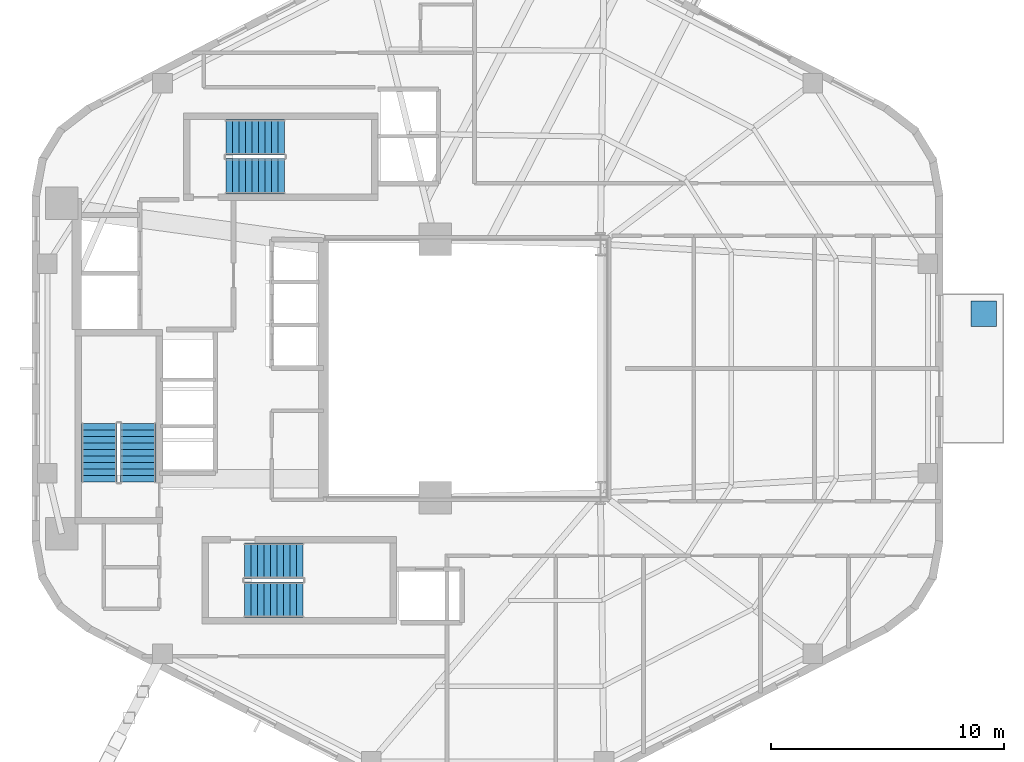
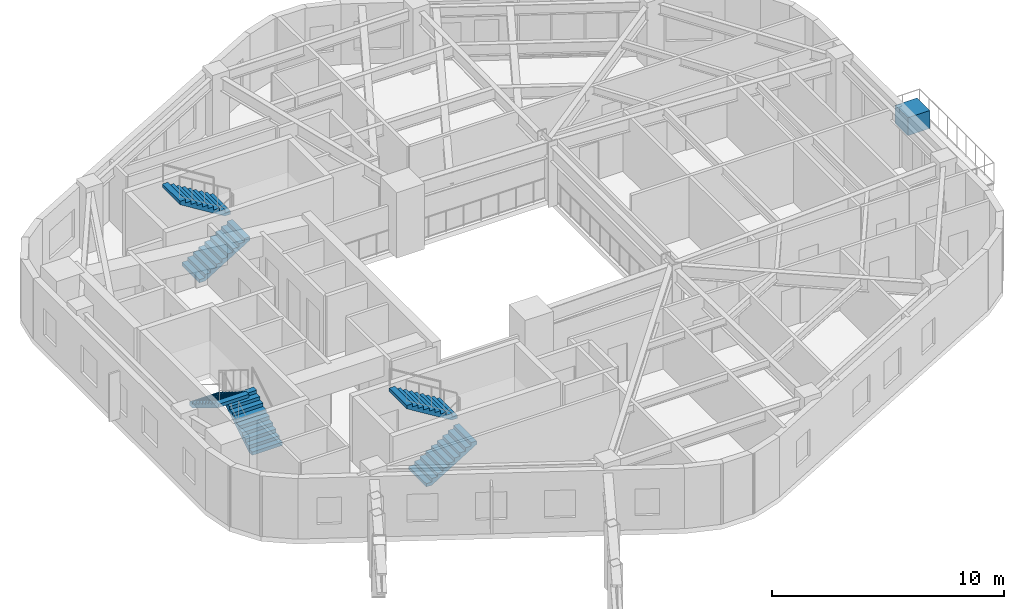
# One storey, part 9 of 11: 6 stair flights, 1 discrete accessory, 3 elements without a shape of their own.
"""IFC4 building model written with IfcOpenShell, lengths in metres."""

import ifcopenshell
import ifcopenshell.guid

model = None  # the IFC model being written
_history = None  # IfcOwnerHistory: only IFC2X3 demands one
_inside = {}  # id of a spatial element -> (the spatial element, [elements in it])
_under = {}  # id of a project, library or spatial element -> (it, [spatial elements below it])
_declared = {}  # id of a project -> (the project, [libraries it declares])
_typed = {}  # id of a type object -> (the type object, [elements of that type])
_made_of = {}  # id of a material, layer set ... -> (it, [elements and type objects made of it])


def new_model(schema):
    """Start an empty IFC model of exactly this schema.

    Asked for "IFC4X3", IfcOpenShell would pick the latest addendum, in which some entities
    have other attributes; the version numbers below select the first issue.
    IFC2X3 requires an IfcOwnerHistory on every rooted entity: one is made here for all.
    """
    global model, _history
    if schema == "IFC4X3":
        model = ifcopenshell.file(schema_version=(4, 3, 0, 0))
    else:
        model = ifcopenshell.file(schema=schema)
    _inside.clear()
    _under.clear()
    _declared.clear()
    _typed.clear()
    _made_of.clear()
    _history = None
    if model.schema == "IFC2X3":
        org = make("IfcOrganization", Name="unknown")
        user = make(
            "IfcPersonAndOrganization",
            ThePerson=make("IfcPerson", FamilyName="unknown"),
            TheOrganization=org,
        )
        app = make(
            "IfcApplication",
            ApplicationDeveloper=org,
            Version="unknown",
            ApplicationFullName="unknown",
            ApplicationIdentifier="unknown",
        )
        _history = make(
            "IfcOwnerHistory",
            OwningUser=user,
            OwningApplication=app,
            ChangeAction="ADDED",
            CreationDate=0,
        )
    return model


def make(cls, **values):
    """One entity of the class cls with the attributes given. An attribute that is None is left unset."""
    return model.create_entity(
        cls, **{name: value for name, value in values.items() if value is not None}
    )


def rooted(cls, **values):
    """An entity with a GlobalId (a new one), such as an element, a storey or a relation."""
    return make(cls, GlobalId=ifcopenshell.guid.new(), OwnerHistory=_history, **values)


def si_unit(unit_type, name, prefix=None):
    """IfcSIUnit, for example si_unit("LENGTHUNIT", "METRE", prefix="MILLI")."""
    return make("IfcSIUnit", UnitType=unit_type, Prefix=prefix, Name=name)


def assignment(units):
    """IfcUnitAssignment: the units of a project."""
    return None if units is None else make("IfcUnitAssignment", Units=units)


def point(xyz):
    """IfcCartesianPoint."""
    return None if xyz is None else make("IfcCartesianPoint", Coordinates=xyz)


def direction(xyz):
    """IfcDirection."""
    return None if xyz is None else make("IfcDirection", DirectionRatios=xyz)


def frame(location, z_axis=None, x_axis=None):
    """IfcAxis2Placement3D, a coordinate frame: its origin and axes. An axis left out is left unset."""
    return make(
        "IfcAxis2Placement3D",
        Location=point(location),
        Axis=direction(z_axis),
        RefDirection=direction(x_axis),
    )


def frame_2d(location, x_axis=None):
    """IfcAxis2Placement2D, a coordinate frame in the plane: its origin and x axis."""
    return make(
        "IfcAxis2Placement2D", Location=point(location), RefDirection=direction(x_axis)
    )


def origin():
    """The frame at (0, 0, 0) with its axes left unset."""
    return frame((0.0, 0.0, 0.0))


def origin_2d():
    """The frame at (0, 0) in the plane with its x axis left unset."""
    return frame_2d((0.0, 0.0))


def place(relative_to, where):
    """IfcLocalPlacement: puts the frame where relative to a parent placement (None: the world)."""
    return make(
        "IfcLocalPlacement", PlacementRelTo=relative_to, RelativePlacement=where
    )


def context(
    kind, dimensions, precision=None, world=None, true_north=None, identifier=None
):
    """IfcGeometricRepresentationContext, for example the 3D "Model" context."""
    return make(
        "IfcGeometricRepresentationContext",
        ContextIdentifier=identifier,
        ContextType=kind,
        CoordinateSpaceDimension=dimensions,
        Precision=precision,
        WorldCoordinateSystem=world,
        TrueNorth=true_north,
    )


def subcontext(parent, identifier, kind, view, scale=None):
    """IfcGeometricRepresentationSubContext, for example "Body" below "Model"."""
    return make(
        "IfcGeometricRepresentationSubContext",
        ContextIdentifier=identifier,
        ContextType=kind,
        ParentContext=parent,
        TargetScale=scale,
        TargetView=view,
    )


def project(units=None, contexts=None):
    """IfcProject with its units and contexts."""
    return rooted(
        "IfcProject",
        Name="project",
        RepresentationContexts=contexts,
        UnitsInContext=assignment(units),
    )


def spatial(cls, under=None, at=None, **own):
    """A site, building, storey or space (cls), placed at a placement, below another one or the project."""
    s = rooted(cls, ObjectPlacement=at, **own)
    if under is not None:
        _under.setdefault(under.id(), (under, []))[1].append(s)
    return s


def polyline(points):
    """IfcPolyline through the points."""
    return make("IfcPolyline", Points=[point(p) for p in points])


def profile(cls, at=None, kind="AREA", **sizes):
    """A parametric profile (cls). Its sizes go by their IFC names, for example OverallWidth=200.0."""
    return make(cls, ProfileType=kind, Position=at, **sizes)


def rectangle(**sizes):
    """IfcRectangleProfileDef."""
    return profile("IfcRectangleProfileDef", **sizes)


def outline(outer, holes=None, kind="AREA"):
    """IfcArbitraryClosedProfileDef: a profile drawn as a closed curve; with holes, ...WithVoids."""
    if holes is None:
        return make("IfcArbitraryClosedProfileDef", ProfileType=kind, OuterCurve=outer)
    return make(
        "IfcArbitraryProfileDefWithVoids",
        ProfileType=kind,
        OuterCurve=outer,
        InnerCurves=holes,
    )


def extrude(swept, where, along, depth):
    """IfcExtrudedAreaSolid: the profile swept, set in the frame where, extruded along a direction by depth."""
    return make(
        "IfcExtrudedAreaSolid",
        SweptArea=swept,
        Position=where,
        ExtrudedDirection=direction(along),
        Depth=depth,
    )


def shape(context_of_items, identifier, shape_type, items):
    """IfcShapeRepresentation: the items that make up one representation, for example the "Body"."""
    return make(
        "IfcShapeRepresentation",
        ContextOfItems=context_of_items,
        RepresentationIdentifier=identifier,
        RepresentationType=shape_type,
        Items=items,
    )


def material(Name=None, Category=None):
    """IfcMaterial."""
    return make("IfcMaterial", Name=Name, Category=Category)


def made_of(thing, what):
    """Note that an element or type object is made of a material, layer set ...; save() writes the relation."""
    if what is not None:
        _made_of.setdefault(what.id(), (what, []))[1].append(thing)
    return thing


def type_object(cls, material=None, **own):
    """A type object (cls), such as IfcWallType, which elements share."""
    return made_of(rooted(cls, **own), material)


def element(
    cls,
    number,
    at=None,
    inside=None,
    cuts=None,
    type_object=None,
    material=None,
    context=None,
    identifier="Body",
    shape_type=None,
    held_by="IfcProductDefinitionShape",
    body=None,
    shapes=None,
    **own,
):
    """One element of the class cls, such as IfcWall. Its Tag is "e" and its number.

    at: its placement. inside: the storey or other place that contains it. cuts: it is an
    opening in that element (IfcRelVoidsElement). A single representation is given by context,
    identifier, shape_type and body (its items); several are given by shapes. held_by: the class
    of the entity that holds the representations. save() writes the other relations.
    """
    e = rooted(cls, Tag="e%d" % number, ObjectPlacement=at, **own)
    if body is not None:
        shapes = [shape(context, identifier, shape_type, body)]
    if shapes is not None:
        e.Representation = make(held_by, Representations=shapes)
    if inside is not None:
        _inside.setdefault(inside.id(), (inside, []))[1].append(e)
    if cuts is not None:
        rooted(
            "IfcRelVoidsElement", RelatingBuildingElement=cuts, RelatedOpeningElement=e
        )
    if type_object is not None:
        _typed.setdefault(type_object.id(), (type_object, []))[1].append(e)
    return made_of(e, material)


def aggregate(whole, parts):
    """IfcRelAggregates: a whole, such as a stair, and the parts it consists of."""
    return rooted("IfcRelAggregates", RelatingObject=whole, RelatedObjects=parts)


def save(model, path):
    """Write the relations noted so far, then the file.

    IfcRelAggregates (storeys below a building ...), IfcRelContainedInSpatialStructure (elements
    in a storey), IfcRelDefinesByType, IfcRelAssociatesMaterial and IfcRelDeclares: one each for
    every whole, place, type object, material and project.
    """
    for whole, parts in _under.values():
        aggregate(whole, parts)
    for where, things in _inside.values():
        rooted(
            "IfcRelContainedInSpatialStructure",
            RelatedElements=things,
            RelatingStructure=where,
        )
    for kind, things in _typed.values():
        rooted("IfcRelDefinesByType", RelatedObjects=things, RelatingType=kind)
    for what, things in _made_of.values():
        rooted("IfcRelAssociatesMaterial", RelatedObjects=things, RelatingMaterial=what)
    for by, libraries in _declared.values():
        rooted("IfcRelDeclares", RelatingContext=by, RelatedDefinitions=libraries)
    model.write(path)


model = new_model("IFC4")

# Units and contexts
model_context = context("Model", 3, precision=1e-05, world=origin(), true_north=direction((0.0, 1.0)))
body_context = subcontext(model_context, "Body", "Model", "MODEL_VIEW")
ifc_project = project(units=[si_unit("LENGTHUNIT", "METRE"), si_unit("AREAUNIT", "SQUARE_METRE"), si_unit("VOLUMEUNIT", "CUBIC_METRE"), si_unit("PLANEANGLEUNIT", "RADIAN"), si_unit("MASSUNIT", "GRAM", prefix="KILO"), si_unit("THERMODYNAMICTEMPERATUREUNIT", "KELVIN"), si_unit("POWERUNIT", "WATT")], contexts=[model_context])

# Site, building, storey
site_placement = place(None, origin())
site = spatial("IfcSite", under=ifc_project, at=site_placement, CompositionType="ELEMENT")
building_placement = place(site_placement, origin())
building = spatial("IfcBuilding", under=site, at=building_placement, Name="Skarre Station Tower", CompositionType="ELEMENT")
storey_placement = place(building_placement, frame((0.0, 0.0, 167.10009765625)))
storey = spatial("IfcBuildingStorey", under=building, at=storey_placement, Name="L45", CompositionType="ELEMENT", Elevation=167.10009765625)

# Stair, stair flights
ifc_material_1 = material(Name="Concrete C40/50", Category="concrete")
stair_type_1 = type_object("IfcStairType", Name="Reinforced Concrete Exit Stair ST-1", PredefinedType="HALF_TURN_STAIR", material=ifc_material_1)
stair_1_placement = place(storey_placement, origin())
stair_1 = element("IfcStair", 1, at=stair_1_placement, inside=storey, type_object=stair_type_1, Name="L45 Core Exit Stair ST-1", PredefinedType="HALF_TURN_STAIR")
stair_flight_type_1 = type_object("IfcStairFlightType", Name="Reinforced Concrete Stair Flight ST-1", PredefinedType="STRAIGHT", material=ifc_material_1)
stair_flight_1_placement = place(storey_placement, frame((19.590087890625, 19.1201171875, 0.0), z_axis=(0.0, 0.0, 1.0), x_axis=(0.0, 1.0, 0.0)))
stair_flight_1 = element("IfcStairFlight", 2, at=stair_flight_1_placement, type_object=stair_flight_type_1, Name="ST-1 flight 1", NumberOfRisers=10, NumberOfTreads=9, PredefinedType="STRAIGHT", RiserHeight=0.1725, TreadLength=0.28, context=body_context, shape_type="SweptSolid", body=[
    extrude(outline(polyline([(0.0, 0.0), (0.0, 0.172607421875), (0.280029296875, 0.172607421875), (0.280029296875, 0.344970703125), (0.56005859375, 0.344970703125), (0.56005859375, 0.517578125), (0.840087890625, 0.517578125), (0.840087890625, 0.68994140625), (1.1201171875, 0.68994140625), (1.1201171875, 0.862548828125), (1.39990234375, 0.862548828125), (1.39990234375, 1.034912109375), (1.679931640625, 1.034912109375), (1.679931640625, 1.20751953125), (1.9599609375, 1.20751953125), (1.9599609375, 1.3798828125), (2.239990234375, 1.3798828125), (2.239990234375, 1.552490234375), (2.52001953125, 1.552490234375), (2.52001953125, 1.72509765625), (2.52001953125, 1.37646484375), (0.285888671875, 0.0), (0.0, 0.0)])), frame((0.0, 0.760009765625, 0.0), z_axis=(0.0, -1.0, 0.0), x_axis=(1.0, 0.0, 0.0)), (0.0, 0.0, 1.0), 1.52001953125),
])
stair_flight_2_placement = place(storey_placement, frame((17.909912109375, 21.639892578125, 1.724853515625), z_axis=(0.0, 0.0, 1.0), x_axis=(0.0, -1.0, 0.0)))
stair_flight_2 = element("IfcStairFlight", 3, at=stair_flight_2_placement, type_object=stair_flight_type_1, Name="ST-1 flight 2", NumberOfRisers=10, NumberOfTreads=9, PredefinedType="STRAIGHT", RiserHeight=0.1725, TreadLength=0.28, context=body_context, shape_type="SweptSolid", body=[
    extrude(outline(polyline([(0.0, 0.0), (0.0, 0.172607421875), (0.280029296875, 0.172607421875), (0.280029296875, 0.344970703125), (0.56005859375, 0.344970703125), (0.56005859375, 0.517578125), (0.840087890625, 0.517578125), (0.840087890625, 0.68994140625), (1.1201171875, 0.68994140625), (1.1201171875, 0.862548828125), (1.39990234375, 0.862548828125), (1.39990234375, 1.034912109375), (1.679931640625, 1.034912109375), (1.679931640625, 1.20751953125), (1.9599609375, 1.20751953125), (1.9599609375, 1.3798828125), (2.239990234375, 1.3798828125), (2.239990234375, 1.552490234375), (2.52001953125, 1.552490234375), (2.52001953125, 1.72509765625), (2.52001953125, 1.37646484375), (0.285888671875, 0.0), (0.0, 0.0)])), frame((0.0, 0.760009765625, 0.0), z_axis=(0.0, -1.0, 0.0), x_axis=(1.0, 0.0, 0.0)), (0.0, 0.0, 1.0), 1.52001953125),
])
aggregate(stair_1, [stair_flight_1, stair_flight_2])

stair_type_2 = type_object("IfcStairType", Name="Reinforced Concrete Exit Stair ST-2", PredefinedType="HALF_TURN_STAIR", material=ifc_material_1)
stair_2_placement = place(storey_placement, origin())
stair_2 = element("IfcStair", 4, at=stair_2_placement, inside=storey, type_object=stair_type_2, Name="L45 Core Exit Stair ST-2", PredefinedType="HALF_TURN_STAIR")
stair_flight_type_2 = type_object("IfcStairFlightType", Name="Reinforced Concrete Stair Flight ST-2", PredefinedType="STRAIGHT", material=ifc_material_1)
stair_flight_3_placement = place(storey_placement, frame((24.14990234375, 14.06005859375, 0.0), z_axis=(0.0, 0.0, 1.0), x_axis=(1.0, 0.0, 0.0)))
stair_flight_3 = element("IfcStairFlight", 5, at=stair_flight_3_placement, type_object=stair_flight_type_2, Name="ST-2 flight 1", NumberOfRisers=10, NumberOfTreads=9, PredefinedType="STRAIGHT", RiserHeight=0.1725, TreadLength=0.28, context=body_context, shape_type="SweptSolid", body=[
    extrude(outline(polyline([(0.0, 0.0), (0.0, 0.172607421875), (0.280029296875, 0.172607421875), (0.280029296875, 0.344970703125), (0.56005859375, 0.344970703125), (0.56005859375, 0.517578125), (0.840087890625, 0.517578125), (0.840087890625, 0.68994140625), (1.1201171875, 0.68994140625), (1.1201171875, 0.862548828125), (1.39990234375, 0.862548828125), (1.39990234375, 1.034912109375), (1.679931640625, 1.034912109375), (1.679931640625, 1.20751953125), (1.9599609375, 1.20751953125), (1.9599609375, 1.3798828125), (2.239990234375, 1.3798828125), (2.239990234375, 1.552490234375), (2.52001953125, 1.552490234375), (2.52001953125, 1.72509765625), (2.52001953125, 1.37646484375), (0.285888671875, 0.0), (0.0, 0.0)])), frame((0.0, 0.760009765625, 0.0), z_axis=(0.0, -1.0, 0.0), x_axis=(1.0, 0.0, 0.0)), (0.0, 0.0, 1.0), 1.52001953125),
])
stair_flight_4_placement = place(storey_placement, frame((26.669921875, 15.739990234375, 1.724853515625), z_axis=(0.0, 0.0, 1.0), x_axis=(-1.0, 0.0, 0.0)))
stair_flight_4 = element("IfcStairFlight", 6, at=stair_flight_4_placement, type_object=stair_flight_type_2, Name="ST-2 flight 2", NumberOfRisers=10, NumberOfTreads=9, PredefinedType="STRAIGHT", RiserHeight=0.1725, TreadLength=0.28, context=body_context, shape_type="SweptSolid", body=[
    extrude(outline(polyline([(0.0, 0.0), (0.0, 0.172607421875), (0.280029296875, 0.172607421875), (0.280029296875, 0.344970703125), (0.56005859375, 0.344970703125), (0.56005859375, 0.517578125), (0.840087890625, 0.517578125), (0.840087890625, 0.68994140625), (1.1201171875, 0.68994140625), (1.1201171875, 0.862548828125), (1.39990234375, 0.862548828125), (1.39990234375, 1.034912109375), (1.679931640625, 1.034912109375), (1.679931640625, 1.20751953125), (1.9599609375, 1.20751953125), (1.9599609375, 1.3798828125), (2.239990234375, 1.3798828125), (2.239990234375, 1.552490234375), (2.52001953125, 1.552490234375), (2.52001953125, 1.72509765625), (2.52001953125, 1.37646484375), (0.285888671875, 0.0), (0.0, 0.0)])), frame((0.0, 0.760009765625, 0.0), z_axis=(0.0, -1.0, 0.0), x_axis=(1.0, 0.0, 0.0)), (0.0, 0.0, 1.0), 1.52001953125),
])
aggregate(stair_2, [stair_flight_3, stair_flight_4])

stair_type_3 = type_object("IfcStairType", Name="Reinforced Concrete Exit Stair ST-3", PredefinedType="HALF_TURN_STAIR", material=ifc_material_1)
stair_3_placement = place(storey_placement, origin())
stair_3 = element("IfcStair", 7, at=stair_3_placement, inside=storey, type_object=stair_type_3, Name="L45 Core Exit Stair ST-3", PredefinedType="HALF_TURN_STAIR")
stair_flight_type_3 = type_object("IfcStairFlightType", Name="Reinforced Concrete Stair Flight ST-3", PredefinedType="STRAIGHT", material=ifc_material_1)
stair_flight_5_placement = place(storey_placement, frame((23.35009765625, 32.260009765625, 0.0), z_axis=(0.0, 0.0, 1.0), x_axis=(1.0, 0.0, 0.0)))
stair_flight_5 = element("IfcStairFlight", 8, at=stair_flight_5_placement, type_object=stair_flight_type_3, Name="ST-3 flight 1", NumberOfRisers=10, NumberOfTreads=9, PredefinedType="STRAIGHT", RiserHeight=0.1725, TreadLength=0.28, context=body_context, shape_type="SweptSolid", body=[
    extrude(outline(polyline([(0.0, 0.0), (0.0, 0.172607421875), (0.280029296875, 0.172607421875), (0.280029296875, 0.344970703125), (0.56005859375, 0.344970703125), (0.56005859375, 0.517578125), (0.840087890625, 0.517578125), (0.840087890625, 0.68994140625), (1.1201171875, 0.68994140625), (1.1201171875, 0.862548828125), (1.39990234375, 0.862548828125), (1.39990234375, 1.034912109375), (1.679931640625, 1.034912109375), (1.679931640625, 1.20751953125), (1.9599609375, 1.20751953125), (1.9599609375, 1.3798828125), (2.239990234375, 1.3798828125), (2.239990234375, 1.552490234375), (2.52001953125, 1.552490234375), (2.52001953125, 1.72509765625), (2.52001953125, 1.37646484375), (0.285888671875, 0.0), (0.0, 0.0)])), frame((0.0, 0.760009765625, 0.0), z_axis=(0.0, -1.0, 0.0), x_axis=(1.0, 0.0, 0.0)), (0.0, 0.0, 1.0), 1.52001953125),
])
stair_flight_6_placement = place(storey_placement, frame((25.8701171875, 33.93994140625, 1.724853515625), z_axis=(0.0, 0.0, 1.0), x_axis=(-1.0, 0.0, 0.0)))
stair_flight_6 = element("IfcStairFlight", 9, at=stair_flight_6_placement, type_object=stair_flight_type_3, Name="ST-3 flight 2", NumberOfRisers=10, NumberOfTreads=9, PredefinedType="STRAIGHT", RiserHeight=0.1725, TreadLength=0.28, context=body_context, shape_type="SweptSolid", body=[
    extrude(outline(polyline([(0.0, 0.0), (0.0, 0.172607421875), (0.280029296875, 0.172607421875), (0.280029296875, 0.344970703125), (0.56005859375, 0.344970703125), (0.56005859375, 0.517578125), (0.840087890625, 0.517578125), (0.840087890625, 0.68994140625), (1.1201171875, 0.68994140625), (1.1201171875, 0.862548828125), (1.39990234375, 0.862548828125), (1.39990234375, 1.034912109375), (1.679931640625, 1.034912109375), (1.679931640625, 1.20751953125), (1.9599609375, 1.20751953125), (1.9599609375, 1.3798828125), (2.239990234375, 1.3798828125), (2.239990234375, 1.552490234375), (2.52001953125, 1.552490234375), (2.52001953125, 1.72509765625), (2.52001953125, 1.37646484375), (0.285888671875, 0.0), (0.0, 0.0)])), frame((0.0, 0.760009765625, 0.0), z_axis=(0.0, -1.0, 0.0), x_axis=(1.0, 0.0, 0.0)), (0.0, 0.0, 1.0), 1.52001953125),
])
aggregate(stair_3, [stair_flight_5, stair_flight_6])

# Discrete accessory
ifc_material_2 = material(Name="Precast concrete C45/55", Category="concrete")
discrete_accessory_type = type_object("IfcDiscreteAccessoryType", Name="Insulated Precast Tree Planter Trough 1100x1100x950", PredefinedType="USERDEFINED", material=ifc_material_2)
discrete_accessory_placement = place(storey_placement, frame((55.922119140625, 26.35009765625, 0.0), z_axis=(0.0, 0.0, 1.0), x_axis=(1.0, 0.0, 0.0)))
element("IfcDiscreteAccessory", 10, at=discrete_accessory_placement, inside=storey, type_object=discrete_accessory_type, Name="L45 TB-L45-F5 Insulated Precast Tree Planter Trough", ObjectType="PLANTER", PredefinedType="USERDEFINED", context=body_context, shape_type="SweptSolid", body=[
    extrude(rectangle(XDim=1.10009765625, YDim=1.10009765625, at=origin_2d()), origin(), (0.0, 0.0, 1.0), 0.949951171875),
])

save(model, "model.ifc")
